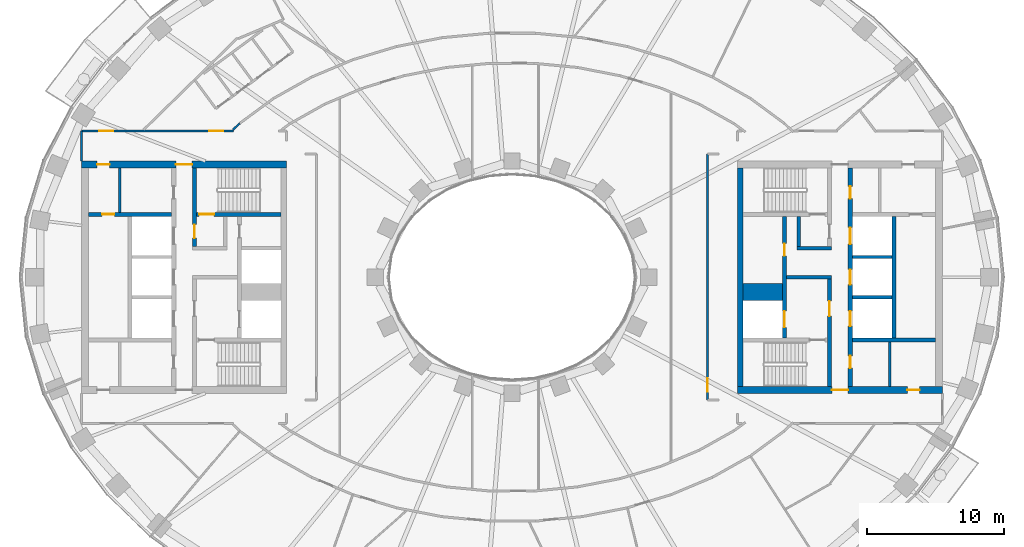
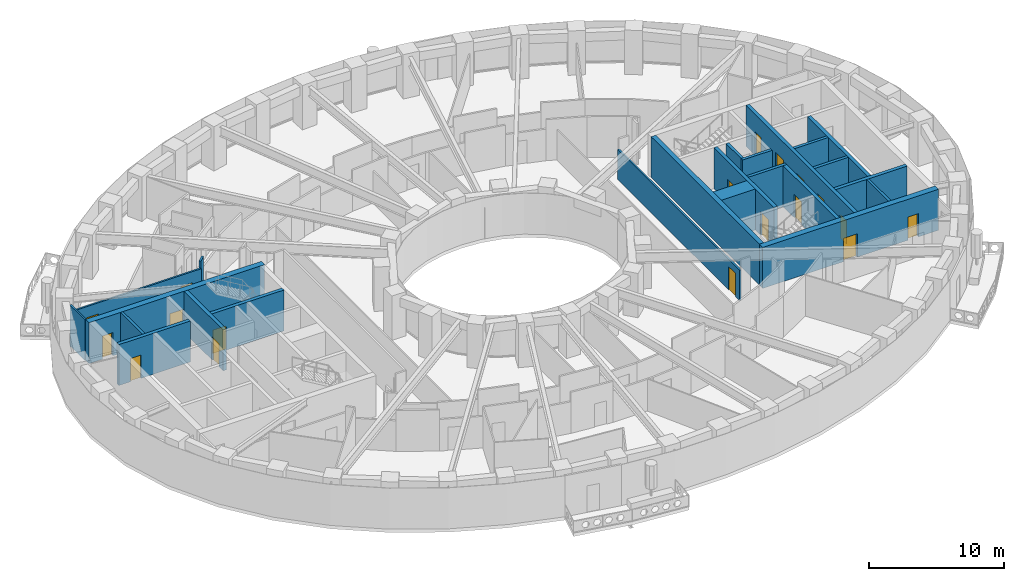
# One storey, part 5 of 17: 23 walls, 18 doors, 18 openings.
"""IFC4 building model written with IfcOpenShell, lengths in metres."""

import ifcopenshell
import ifcopenshell.guid

model = None  # the IFC model being written
_history = None  # IfcOwnerHistory: only IFC2X3 demands one
_inside = {}  # id of a spatial element -> (the spatial element, [elements in it])
_under = {}  # id of a project, library or spatial element -> (it, [spatial elements below it])
_declared = {}  # id of a project -> (the project, [libraries it declares])
_typed = {}  # id of a type object -> (the type object, [elements of that type])
_made_of = {}  # id of a material, layer set ... -> (it, [elements and type objects made of it])


def new_model(schema):
    """Start an empty IFC model of exactly this schema.

    Asked for "IFC4X3", IfcOpenShell would pick the latest addendum, in which some entities
    have other attributes; the version numbers below select the first issue.
    IFC2X3 requires an IfcOwnerHistory on every rooted entity: one is made here for all.
    """
    global model, _history
    if schema == "IFC4X3":
        model = ifcopenshell.file(schema_version=(4, 3, 0, 0))
    else:
        model = ifcopenshell.file(schema=schema)
    _inside.clear()
    _under.clear()
    _declared.clear()
    _typed.clear()
    _made_of.clear()
    _history = None
    if model.schema == "IFC2X3":
        org = make("IfcOrganization", Name="unknown")
        user = make(
            "IfcPersonAndOrganization",
            ThePerson=make("IfcPerson", FamilyName="unknown"),
            TheOrganization=org,
        )
        app = make(
            "IfcApplication",
            ApplicationDeveloper=org,
            Version="unknown",
            ApplicationFullName="unknown",
            ApplicationIdentifier="unknown",
        )
        _history = make(
            "IfcOwnerHistory",
            OwningUser=user,
            OwningApplication=app,
            ChangeAction="ADDED",
            CreationDate=0,
        )
    return model


def make(cls, **values):
    """One entity of the class cls with the attributes given. An attribute that is None is left unset."""
    return model.create_entity(
        cls, **{name: value for name, value in values.items() if value is not None}
    )


def rooted(cls, **values):
    """An entity with a GlobalId (a new one), such as an element, a storey or a relation."""
    return make(cls, GlobalId=ifcopenshell.guid.new(), OwnerHistory=_history, **values)


def si_unit(unit_type, name, prefix=None):
    """IfcSIUnit, for example si_unit("LENGTHUNIT", "METRE", prefix="MILLI")."""
    return make("IfcSIUnit", UnitType=unit_type, Prefix=prefix, Name=name)


def assignment(units):
    """IfcUnitAssignment: the units of a project."""
    return None if units is None else make("IfcUnitAssignment", Units=units)


def point(xyz):
    """IfcCartesianPoint."""
    return None if xyz is None else make("IfcCartesianPoint", Coordinates=xyz)


def direction(xyz):
    """IfcDirection."""
    return None if xyz is None else make("IfcDirection", DirectionRatios=xyz)


def frame(location, z_axis=None, x_axis=None):
    """IfcAxis2Placement3D, a coordinate frame: its origin and axes. An axis left out is left unset."""
    return make(
        "IfcAxis2Placement3D",
        Location=point(location),
        Axis=direction(z_axis),
        RefDirection=direction(x_axis),
    )


def frame_2d(location, x_axis=None):
    """IfcAxis2Placement2D, a coordinate frame in the plane: its origin and x axis."""
    return make(
        "IfcAxis2Placement2D", Location=point(location), RefDirection=direction(x_axis)
    )


def origin():
    """The frame at (0, 0, 0) with its axes left unset."""
    return frame((0.0, 0.0, 0.0))


def place(relative_to, where):
    """IfcLocalPlacement: puts the frame where relative to a parent placement (None: the world)."""
    return make(
        "IfcLocalPlacement", PlacementRelTo=relative_to, RelativePlacement=where
    )


def context(
    kind, dimensions, precision=None, world=None, true_north=None, identifier=None
):
    """IfcGeometricRepresentationContext, for example the 3D "Model" context."""
    return make(
        "IfcGeometricRepresentationContext",
        ContextIdentifier=identifier,
        ContextType=kind,
        CoordinateSpaceDimension=dimensions,
        Precision=precision,
        WorldCoordinateSystem=world,
        TrueNorth=true_north,
    )


def subcontext(parent, identifier, kind, view, scale=None):
    """IfcGeometricRepresentationSubContext, for example "Body" below "Model"."""
    return make(
        "IfcGeometricRepresentationSubContext",
        ContextIdentifier=identifier,
        ContextType=kind,
        ParentContext=parent,
        TargetScale=scale,
        TargetView=view,
    )


def project(units=None, contexts=None):
    """IfcProject with its units and contexts."""
    return rooted(
        "IfcProject",
        Name="project",
        RepresentationContexts=contexts,
        UnitsInContext=assignment(units),
    )


def spatial(cls, under=None, at=None, **own):
    """A site, building, storey or space (cls), placed at a placement, below another one or the project."""
    s = rooted(cls, ObjectPlacement=at, **own)
    if under is not None:
        _under.setdefault(under.id(), (under, []))[1].append(s)
    return s


def profile(cls, at=None, kind="AREA", **sizes):
    """A parametric profile (cls). Its sizes go by their IFC names, for example OverallWidth=200.0."""
    return make(cls, ProfileType=kind, Position=at, **sizes)


def rectangle(**sizes):
    """IfcRectangleProfileDef."""
    return profile("IfcRectangleProfileDef", **sizes)


def extrude(swept, where, along, depth):
    """IfcExtrudedAreaSolid: the profile swept, set in the frame where, extruded along a direction by depth."""
    return make(
        "IfcExtrudedAreaSolid",
        SweptArea=swept,
        Position=where,
        ExtrudedDirection=direction(along),
        Depth=depth,
    )


def shape(context_of_items, identifier, shape_type, items):
    """IfcShapeRepresentation: the items that make up one representation, for example the "Body"."""
    return make(
        "IfcShapeRepresentation",
        ContextOfItems=context_of_items,
        RepresentationIdentifier=identifier,
        RepresentationType=shape_type,
        Items=items,
    )


def material(Name=None, Category=None):
    """IfcMaterial."""
    return make("IfcMaterial", Name=Name, Category=Category)


def layer(
    of_material, thickness, ventilated=None, Name=None, Category=None, Priority=None
):
    """IfcMaterialLayer: one layer of a wall or slab, of a material (None: an air gap)."""
    return make(
        "IfcMaterialLayer",
        Material=of_material,
        LayerThickness=thickness,
        IsVentilated=ventilated,
        Name=Name,
        Category=Category,
        Priority=Priority,
    )


def layer_set(layers, Name=None):
    """IfcMaterialLayerSet."""
    return make("IfcMaterialLayerSet", MaterialLayers=layers, LayerSetName=Name)


def made_of(thing, what):
    """Note that an element or type object is made of a material, layer set ...; save() writes the relation."""
    if what is not None:
        _made_of.setdefault(what.id(), (what, []))[1].append(thing)
    return thing


def type_object(cls, material=None, **own):
    """A type object (cls), such as IfcWallType, which elements share."""
    return made_of(rooted(cls, **own), material)


def element(
    cls,
    number,
    at=None,
    inside=None,
    cuts=None,
    type_object=None,
    material=None,
    context=None,
    identifier="Body",
    shape_type=None,
    held_by="IfcProductDefinitionShape",
    body=None,
    shapes=None,
    **own,
):
    """One element of the class cls, such as IfcWall. Its Tag is "e" and its number.

    at: its placement. inside: the storey or other place that contains it. cuts: it is an
    opening in that element (IfcRelVoidsElement). A single representation is given by context,
    identifier, shape_type and body (its items); several are given by shapes. held_by: the class
    of the entity that holds the representations. save() writes the other relations.
    """
    e = rooted(cls, Tag="e%d" % number, ObjectPlacement=at, **own)
    if body is not None:
        shapes = [shape(context, identifier, shape_type, body)]
    if shapes is not None:
        e.Representation = make(held_by, Representations=shapes)
    if inside is not None:
        _inside.setdefault(inside.id(), (inside, []))[1].append(e)
    if cuts is not None:
        rooted(
            "IfcRelVoidsElement", RelatingBuildingElement=cuts, RelatedOpeningElement=e
        )
    if type_object is not None:
        _typed.setdefault(type_object.id(), (type_object, []))[1].append(e)
    return made_of(e, material)


def fill(opening, filler):
    """IfcRelFillsElement: the door or window that sits in an opening."""
    return rooted(
        "IfcRelFillsElement",
        RelatingOpeningElement=opening,
        RelatedBuildingElement=filler,
    )


def aggregate(whole, parts):
    """IfcRelAggregates: a whole, such as a stair, and the parts it consists of."""
    return rooted("IfcRelAggregates", RelatingObject=whole, RelatedObjects=parts)


def save(model, path):
    """Write the relations noted so far, then the file.

    IfcRelAggregates (storeys below a building ...), IfcRelContainedInSpatialStructure (elements
    in a storey), IfcRelDefinesByType, IfcRelAssociatesMaterial and IfcRelDeclares: one each for
    every whole, place, type object, material and project.
    """
    for whole, parts in _under.values():
        aggregate(whole, parts)
    for where, things in _inside.values():
        rooted(
            "IfcRelContainedInSpatialStructure",
            RelatedElements=things,
            RelatingStructure=where,
        )
    for kind, things in _typed.values():
        rooted("IfcRelDefinesByType", RelatedObjects=things, RelatingType=kind)
    for what, things in _made_of.values():
        rooted("IfcRelAssociatesMaterial", RelatedObjects=things, RelatingMaterial=what)
    for by, libraries in _declared.values():
        rooted("IfcRelDeclares", RelatingContext=by, RelatedDefinitions=libraries)
    model.write(path)


model = new_model("IFC4")

# Units and contexts
model_context = context("Model", 3, precision=1e-05, world=origin(), true_north=direction((0.0, 1.0)))
body_context = subcontext(model_context, "Body", "Model", "MODEL_VIEW")
ifc_project = project(units=[si_unit("LENGTHUNIT", "METRE"), si_unit("AREAUNIT", "SQUARE_METRE"), si_unit("VOLUMEUNIT", "CUBIC_METRE"), si_unit("PLANEANGLEUNIT", "RADIAN"), si_unit("MASSUNIT", "GRAM", prefix="KILO")], contexts=[model_context])

# Site, building, storey
site_placement = place(None, origin())
site = spatial("IfcSite", under=ifc_project, at=site_placement, CompositionType="ELEMENT")
building_placement = place(site_placement, origin())
building = spatial("IfcBuilding", under=site, at=building_placement, Name="Noorbagh Ring Tower", CompositionType="ELEMENT")
storey_placement = place(building_placement, frame((0.0, 0.0, 112.0)))
storey = spatial("IfcBuildingStorey", under=building, at=storey_placement, Name="L25", CompositionType="ELEMENT", Elevation=112.0)

# Walls
ifc_material_1 = material(Name="Gypsum board on steel studs", Category="steel")
ifc_layer_1 = layer(ifc_material_1, 0.199951171875)
ifc_layer_set_1 = layer_set([ifc_layer_1], Name="Gypsum board on steel studs")
wall_type_1 = type_object("IfcWallType", Name="CORE-PARTITION-200", PredefinedType="PARTITIONING", material=ifc_layer_set_1)
for number, where, z_axis, x_axis, name in (
    (1, (-28.699951171875, 4.75, 0.0), (0.0, 0.0, 1.0), (0.0, 1.0, 0.0), "Core partition W"),
    (2, (27.64990234375, -8.0, 0.0), (0.0, 0.0, 1.0), (0.0, 1.0, 0.0), "Core partition E"),
):
    element("IfcWall", number, at=place(storey_placement, frame(where, z_axis=z_axis, x_axis=x_axis)), inside=storey, type_object=wall_type_1, Name=name, PredefinedType="PARTITIONING", context=body_context, shape_type="SweptSolid", body=[
        extrude(rectangle(XDim=3.25, YDim=0.199951171875, at=frame_2d((1.625, 0.0))), origin(), (0.0, 0.0, 1.0), 3.699951171875),
    ])
ifc_material_2 = material(Name="Concrete C70/85", Category="concrete")
ifc_layer_2 = layer(ifc_material_2, 1.25)
ifc_layer_set_2 = layer_set([ifc_layer_2], Name="Concrete C70/85")
wall_type_2 = type_object("IfcWallType", Name="CORE-WALL-1250-C70-85-EI120", PredefinedType="SHEAR", material=ifc_layer_set_2)
wall_1_placement = place(storey_placement, frame((16.89990234375, -1.074951171875, 0.0), z_axis=(0.0, 0.0, 1.0), x_axis=(1.0, 0.0, 0.0)))
element("IfcWall", 3, at=wall_1_placement, inside=storey, type_object=wall_type_2, Name="Core wall E", PredefinedType="SHEAR", context=body_context, shape_type="SweptSolid", body=[
    extrude(rectangle(XDim=2.900146484375, YDim=1.25, at=frame_2d((1.4501953125, 0.0))), origin(), (0.0, 0.0, 1.0), 3.699951171875),
])
ifc_material_3 = material(Name="Concrete C70/85", Category="concrete")
ifc_layer_3 = layer(ifc_material_3, 0.25)
ifc_layer_set_3 = layer_set([ifc_layer_3], Name="Concrete C70/85")
wall_type_3 = type_object("IfcWallType", Name="CORE-WALL-250-C70-85-EI120", PredefinedType="SHEAR", material=ifc_layer_set_3)
for number, where, z_axis, x_axis, name in (
    (4, (24.89990234375, -1.47509765625, 0.0), (0.0, 0.0, 1.0), (1.0, 0.0, 0.0), "Core wall E"),
    (5, (24.89990234375, 1.47509765625, 0.0), (0.0, 0.0, 1.0), (1.0, 0.0, 0.0), "Core wall E"),
):
    element("IfcWall", number, at=place(storey_placement, frame(where, z_axis=z_axis, x_axis=x_axis)), inside=storey, type_object=wall_type_3, Name=name, PredefinedType="SHEAR", context=body_context, shape_type="SweptSolid", body=[
        extrude(rectangle(XDim=2.900146484375, YDim=0.25, at=frame_2d((1.4501953125, 0.0))), origin(), (0.0, 0.0, 1.0), 3.699951171875),
    ])
ifc_material_4 = material(Name="Concrete C70/85", Category="concrete")
ifc_layer_4 = layer(ifc_material_4, 0.25)
ifc_layer_set_4 = layer_set([ifc_layer_4], Name="Concrete C70/85")
wall_type_4 = type_object("IfcWallType", Name="CORE-WALL-250-C70-85-EI240", PredefinedType="SHEAR", material=ifc_layer_set_4)
wall_2_placement = place(storey_placement, frame((20.10009765625, 0.0, 0.0), z_axis=(0.0, 0.0, 1.0), x_axis=(1.0, 0.0, 0.0)))
element("IfcWall", 6, at=wall_2_placement, inside=storey, type_object=wall_type_4, Name="Core wall E", PredefinedType="SHEAR", context=body_context, shape_type="SweptSolid", body=[
    extrude(rectangle(XDim=3.27978515625, YDim=0.25, at=frame_2d((1.639892578125, 0.0))), origin(), (0.0, 0.0, 1.0), 3.699951171875),
])
wall_3_placement = place(storey_placement, frame((20.85009765625, 2.125, 0.0), z_axis=(0.0, 0.0, 1.0), x_axis=(1.0, 0.0, 0.0)))
element("IfcWall", 7, at=wall_3_placement, inside=storey, type_object=wall_type_4, Name="Core wall E", PredefinedType="SHEAR", context=body_context, shape_type="SweptSolid", body=[
    extrude(rectangle(XDim=2.52978515625, YDim=0.25, at=frame_2d((1.264892578125, 0.0))), origin(), (0.0, 0.0, 1.0), 3.699951171875),
])
wall_4_placement = place(storey_placement, frame((20.97509765625, 2.25, 0.0), z_axis=(0.0, 0.0, 1.0), x_axis=(0.0, 1.0, 0.0)))
element("IfcWall", 8, at=wall_4_placement, inside=storey, type_object=wall_type_4, Name="Core wall E", PredefinedType="SHEAR", context=body_context, shape_type="SweptSolid", body=[
    extrude(rectangle(XDim=2.199951171875, YDim=0.25, at=frame_2d((1.10009765625, 0.0))), origin(), (0.0, 0.0, 1.0), 3.699951171875),
])
ifc_material_5 = material(Name="Concrete C70/85", Category="concrete")
ifc_layer_5 = layer(ifc_material_5, 0.300048828125)
ifc_layer_set_5 = layer_set([ifc_layer_5], Name="Concrete C70/85")
wall_type_5 = type_object("IfcWallType", Name="CORE-WALL-300-C70-85-EI120", PredefinedType="SHEAR", material=ifc_layer_set_5)
wall_5_placement = place(storey_placement, frame((27.949951171875, -4.449951171875, 0.0), z_axis=(0.0, 0.0, 1.0), x_axis=(0.0, 1.0, 0.0)))
element("IfcWall", 9, at=wall_5_placement, inside=storey, type_object=wall_type_5, Name="Core wall E", PredefinedType="SHEAR", context=body_context, shape_type="SweptSolid", body=[
    extrude(rectangle(XDim=8.89990234375, YDim=0.300048828125, at=frame_2d((4.449951171875, 0.0))), origin(), (0.0, 0.0, 1.0), 3.699951171875),
])

# Wall, openings, doors
wall_6_placement = place(storey_placement, frame((19.949951171875, -4.449951171875, 0.0), z_axis=(0.0, 0.0, 1.0), x_axis=(0.0, 1.0, 0.0)))
wall_6 = element("IfcWall", 10, at=wall_6_placement, inside=storey, type_object=wall_type_5, Name="Core wall E", PredefinedType="SHEAR", context=body_context, shape_type="SweptSolid", body=[
    extrude(rectangle(XDim=8.89990234375, YDim=0.300048828125, at=frame_2d((4.449951171875, 0.0))), origin(), (0.0, 0.0, 1.0), 3.699951171875),
])
opening_1_placement = place(wall_6_placement, frame((0.77490234375, 0.0, 0.0)))
opening_1 = element("IfcOpeningElement", 11, at=opening_1_placement, cuts=wall_6, Name="Opening L25-CE01", PredefinedType="OPENING", context=body_context, shape_type="SweptSolid", body=[
    extrude(rectangle(XDim=1.199951171875, YDim=2.10009765625, at=frame_2d((0.60009765625, 1.050048828125))), frame((0.0, 0.16015625, 0.0), z_axis=(0.0, -1.0, 0.0), x_axis=(1.0, 0.0, 0.0)), (0.0, 0.0, 1.0), 0.320068359375),
])
opening_2_placement = place(wall_6_placement, frame((6.0, 0.0, 0.0)))
opening_2 = element("IfcOpeningElement", 12, at=opening_2_placement, cuts=wall_6, Name="Opening L25-CE11", PredefinedType="OPENING", context=body_context, shape_type="SweptSolid", body=[
    extrude(rectangle(XDim=0.89990234375, YDim=2.10009765625, at=frame_2d((0.449951171875, 1.050048828125))), frame((0.0, 0.16015625, 0.0), z_axis=(0.0, -1.0, 0.0), x_axis=(1.0, 0.0, 0.0)), (0.0, 0.0, 1.0), 0.320068359375),
])
ifc_material_6 = material(Name="Steel door leaf", Category="steel")
door_type_1 = type_object("IfcDoorType", Name="CORE-DOOR-DROOM", OperationType="SINGLE_SWING_LEFT", PredefinedType="DOOR", material=ifc_material_6)
door_1_placement = place(opening_2_placement, origin())
door_1 = element("IfcDoor", 13, at=door_1_placement, inside=storey, type_object=door_type_1, Name="Core room door L25-CE11", OperationType="SINGLE_SWING_RIGHT", OverallHeight=2.10009765625, OverallWidth=0.89990234375, PredefinedType="DOOR", context=body_context, shape_type="SweptSolid", body=[
    extrude(rectangle(XDim=0.89990234375, YDim=2.10009765625, at=frame_2d((0.449951171875, 1.050048828125))), frame((0.0, 0.02490234375, 0.0), z_axis=(0.0, -1.0, 0.0), x_axis=(1.0, 0.0, 0.0)), (0.0, 0.0, 1.0), 0.050048828125),
])
fill(opening_2, door_1)
ifc_material_7 = material(Name="Steel door leaf", Category="steel")
door_type_2 = type_object("IfcDoorType", Name="CORE-DOOR-LDW", OperationType="DOUBLE_DOOR_SLIDING", PredefinedType="DOOR", material=ifc_material_7)
door_2_placement = place(opening_1_placement, origin())
door_2 = element("IfcDoor", 14, at=door_2_placement, inside=storey, type_object=door_type_2, Name="Landing door FF2 L25-CE01", OperationType="DOUBLE_DOOR_SLIDING", OverallHeight=2.10009765625, OverallWidth=1.199951171875, PredefinedType="DOOR", context=body_context, shape_type="SweptSolid", body=[
    extrude(rectangle(XDim=1.199951171875, YDim=2.10009765625, at=frame_2d((0.60009765625, 1.050048828125))), frame((0.0, 0.02490234375, 0.0), z_axis=(0.0, -1.0, 0.0), x_axis=(1.0, 0.0, 0.0)), (0.0, 0.0, 1.0), 0.050048828125),
])
fill(opening_1, door_2)

wall_7_placement = place(storey_placement, frame((24.75, -8.0, 0.0), z_axis=(0.0, 0.0, 1.0), x_axis=(0.0, 1.0, 0.0)))
wall_7 = element("IfcWall", 15, at=wall_7_placement, inside=storey, type_object=wall_type_5, Name="Core wall E", PredefinedType="SHEAR", context=body_context, shape_type="SweptSolid", body=[
    extrude(rectangle(XDim=16.0, YDim=0.300048828125, at=frame_2d((8.0, 0.0))), origin(), (0.0, 0.0, 1.0), 3.699951171875),
])
opening_3_placement = place(wall_7_placement, frame((4.425048828125, 0.0, 0.0)))
opening_3 = element("IfcOpeningElement", 16, at=opening_3_placement, cuts=wall_7, Name="Opening L25-CE02", PredefinedType="OPENING", context=body_context, shape_type="SweptSolid", body=[
    extrude(rectangle(XDim=1.10009765625, YDim=2.10009765625, at=frame_2d((0.550048828125, 1.050048828125))), frame((0.0, 0.16015625, 0.0), z_axis=(0.0, -1.0, 0.0), x_axis=(1.0, 0.0, 0.0)), (0.0, 0.0, 1.0), 0.320068359375),
])
opening_4_placement = place(wall_7_placement, frame((7.449951171875, 0.0, 0.0)))
opening_4 = element("IfcOpeningElement", 17, at=opening_4_placement, cuts=wall_7, Name="Opening L25-CE03", PredefinedType="OPENING", context=body_context, shape_type="SweptSolid", body=[
    extrude(rectangle(XDim=1.10009765625, YDim=2.10009765625, at=frame_2d((0.550048828125, 1.050048828125))), frame((0.0, 0.16015625, 0.0), z_axis=(0.0, -1.0, 0.0), x_axis=(1.0, 0.0, 0.0)), (0.0, 0.0, 1.0), 0.320068359375),
])
opening_5_placement = place(wall_7_placement, frame((10.425048828125, 0.0, 0.0)))
opening_5 = element("IfcOpeningElement", 18, at=opening_5_placement, cuts=wall_7, Name="Opening L25-CE04", PredefinedType="OPENING", context=body_context, shape_type="SweptSolid", body=[
    extrude(rectangle(XDim=1.199951171875, YDim=2.10009765625, at=frame_2d((0.60009765625, 1.050048828125))), frame((0.0, 0.16015625, 0.0), z_axis=(0.0, -1.0, 0.0), x_axis=(1.0, 0.0, 0.0)), (0.0, 0.0, 1.0), 0.320068359375),
])
opening_6_placement = place(wall_7_placement, frame((13.75, 0.0, 0.0)))
opening_6 = element("IfcOpeningElement", 19, at=opening_6_placement, cuts=wall_7, Name="Opening L25-CE12", PredefinedType="OPENING", context=body_context, shape_type="SweptSolid", body=[
    extrude(rectangle(XDim=0.89990234375, YDim=2.10009765625, at=frame_2d((0.449951171875, 1.050048828125))), frame((0.0, 0.16015625, 0.0), z_axis=(0.0, -1.0, 0.0), x_axis=(1.0, 0.0, 0.0)), (0.0, 0.0, 1.0), 0.320068359375),
])
opening_7_placement = place(wall_7_placement, frame((1.35009765625, 0.0, 0.0)))
opening_7 = element("IfcOpeningElement", 20, at=opening_7_placement, cuts=wall_7, Name="Opening L25-CE14", PredefinedType="OPENING", context=body_context, shape_type="SweptSolid", body=[
    extrude(rectangle(XDim=0.89990234375, YDim=2.10009765625, at=frame_2d((0.449951171875, 1.050048828125))), frame((0.0, 0.16015625, 0.0), z_axis=(0.0, -1.0, 0.0), x_axis=(1.0, 0.0, 0.0)), (0.0, 0.0, 1.0), 0.320068359375),
])
door_3_placement = place(opening_6_placement, origin())
door_3 = element("IfcDoor", 21, at=door_3_placement, inside=storey, type_object=door_type_1, Name="Core room door L25-CE12", OperationType="SINGLE_SWING_LEFT", OverallHeight=2.10009765625, OverallWidth=0.89990234375, PredefinedType="DOOR", context=body_context, shape_type="SweptSolid", body=[
    extrude(rectangle(XDim=0.89990234375, YDim=2.10009765625, at=frame_2d((0.449951171875, 1.050048828125))), frame((0.0, 0.02490234375, 0.0), z_axis=(0.0, -1.0, 0.0), x_axis=(1.0, 0.0, 0.0)), (0.0, 0.0, 1.0), 0.050048828125),
])
fill(opening_6, door_3)
door_4_placement = place(opening_7_placement, origin())
door_4 = element("IfcDoor", 22, at=door_4_placement, inside=storey, type_object=door_type_1, Name="Core room door L25-CE14", OperationType="SINGLE_SWING_RIGHT", OverallHeight=2.10009765625, OverallWidth=0.89990234375, PredefinedType="DOOR", context=body_context, shape_type="SweptSolid", body=[
    extrude(rectangle(XDim=0.89990234375, YDim=2.10009765625, at=frame_2d((0.449951171875, 1.050048828125))), frame((0.0, 0.02490234375, 0.0), z_axis=(0.0, -1.0, 0.0), x_axis=(1.0, 0.0, 0.0)), (0.0, 0.0, 1.0), 0.050048828125),
])
fill(opening_7, door_4)
ifc_material_8 = material(Name="Steel door leaf", Category="steel")
door_type_3 = type_object("IfcDoorType", Name="CORE-DOOR-LD", OperationType="DOUBLE_DOOR_SLIDING", PredefinedType="DOOR", material=ifc_material_8)
door_5_placement = place(opening_3_placement, origin())
door_5 = element("IfcDoor", 23, at=door_5_placement, inside=storey, type_object=door_type_3, Name="Landing door LR3 L25-CE02", OperationType="DOUBLE_DOOR_SLIDING", OverallHeight=2.10009765625, OverallWidth=1.10009765625, PredefinedType="DOOR", context=body_context, shape_type="SweptSolid", body=[
    extrude(rectangle(XDim=1.10009765625, YDim=2.10009765625, at=frame_2d((0.550048828125, 1.050048828125))), frame((0.0, 0.02490234375, 0.0), z_axis=(0.0, -1.0, 0.0), x_axis=(1.0, 0.0, 0.0)), (0.0, 0.0, 1.0), 0.050048828125),
])
fill(opening_3, door_5)
door_6_placement = place(opening_4_placement, origin())
door_6 = element("IfcDoor", 24, at=door_6_placement, inside=storey, type_object=door_type_3, Name="Landing door LR4 L25-CE03", OperationType="DOUBLE_DOOR_SLIDING", OverallHeight=2.10009765625, OverallWidth=1.10009765625, PredefinedType="DOOR", context=body_context, shape_type="SweptSolid", body=[
    extrude(rectangle(XDim=1.10009765625, YDim=2.10009765625, at=frame_2d((0.550048828125, 1.050048828125))), frame((0.0, 0.02490234375, 0.0), z_axis=(0.0, -1.0, 0.0), x_axis=(1.0, 0.0, 0.0)), (0.0, 0.0, 1.0), 0.050048828125),
])
fill(opening_4, door_6)
door_7_placement = place(opening_5_placement, origin())
door_7 = element("IfcDoor", 25, at=door_7_placement, inside=storey, type_object=door_type_2, Name="Landing door SV2 L25-CE04", OperationType="DOUBLE_DOOR_SLIDING", OverallHeight=2.10009765625, OverallWidth=1.199951171875, PredefinedType="DOOR", context=body_context, shape_type="SweptSolid", body=[
    extrude(rectangle(XDim=1.199951171875, YDim=2.10009765625, at=frame_2d((0.60009765625, 1.050048828125))), frame((0.0, 0.02490234375, 0.0), z_axis=(0.0, -1.0, 0.0), x_axis=(1.0, 0.0, 0.0)), (0.0, 0.0, 1.0), 0.050048828125),
])
fill(opening_5, door_7)

# Wall, opening, door
ifc_material_9 = material(Name="Concrete C70/85", Category="concrete")
ifc_layer_6 = layer(ifc_material_9, 0.300048828125)
ifc_layer_set_6 = layer_set([ifc_layer_6], Name="Concrete C70/85")
wall_type_6 = type_object("IfcWallType", Name="CORE-WALL-300-C70-85-EI240", PredefinedType="SHEAR", material=ifc_layer_set_6)
wall_8_placement = place(storey_placement, frame((-24.89990234375, 4.60009765625, 0.0), z_axis=(0.0, 0.0, 1.0), x_axis=(-1.0, 0.0, 0.0)))
wall_8 = element("IfcWall", 26, at=wall_8_placement, inside=storey, type_object=wall_type_6, Name="Core wall W", PredefinedType="SHEAR", context=body_context, shape_type="SweptSolid", body=[
    extrude(rectangle(XDim=6.10009765625, YDim=0.300048828125, at=frame_2d((3.050048828125, 0.0))), origin(), (0.0, 0.0, 1.0), 3.699951171875),
])
opening_8_placement = place(wall_8_placement, frame((4.199951171875, 0.0, 0.0)))
opening_8 = element("IfcOpeningElement", 27, at=opening_8_placement, cuts=wall_8, Name="Opening L25-CW16", PredefinedType="OPENING", context=body_context, shape_type="SweptSolid", body=[
    extrude(rectangle(XDim=0.89990234375, YDim=2.10009765625, at=frame_2d((0.449951171875, 1.050048828125))), frame((0.0, 0.16015625, 0.0), z_axis=(0.0, -1.0, 0.0), x_axis=(1.0, 0.0, 0.0)), (0.0, 0.0, 1.0), 0.320068359375),
])
door_8_placement = place(opening_8_placement, origin())
door_8 = element("IfcDoor", 28, at=door_8_placement, inside=storey, type_object=door_type_1, Name="Core room door L25-CW16", OperationType="SINGLE_SWING_LEFT", OverallHeight=2.10009765625, OverallWidth=0.89990234375, PredefinedType="DOOR", context=body_context, shape_type="SweptSolid", body=[
    extrude(rectangle(XDim=0.89990234375, YDim=2.10009765625, at=frame_2d((0.449951171875, 1.050048828125))), frame((0.0, 0.02490234375, 0.0), z_axis=(0.0, -1.0, 0.0), x_axis=(1.0, 0.0, 0.0)), (0.0, 0.0, 1.0), 0.050048828125),
])
fill(opening_8, door_8)

wall_9_placement = place(storey_placement, frame((-23.22998046875, 2.25, 0.0), z_axis=(0.0, 0.0, 1.0), x_axis=(0.0, 1.0, 0.0)))
wall_9 = element("IfcWall", 29, at=wall_9_placement, inside=storey, type_object=wall_type_6, Name="Core wall W", PredefinedType="SHEAR", context=body_context, shape_type="SweptSolid", body=[
    extrude(rectangle(XDim=5.75, YDim=0.300048828125, at=frame_2d((2.875, 0.0))), origin(), (0.0, 0.0, 1.0), 3.699951171875),
])
opening_9_placement = place(wall_9_placement, frame((0.60009765625, 0.0, 0.0)))
opening_9 = element("IfcOpeningElement", 30, at=opening_9_placement, cuts=wall_9, Name="Opening L25-CW08", PredefinedType="OPENING", context=body_context, shape_type="SweptSolid", body=[
    extrude(rectangle(XDim=1.0, YDim=2.10009765625, at=frame_2d((0.5, 1.050048828125))), frame((0.0, 0.16015625, 0.0), z_axis=(0.0, -1.0, 0.0), x_axis=(1.0, 0.0, 0.0)), (0.0, 0.0, 1.0), 0.320068359375),
])
ifc_material_10 = material(Name="Steel door leaf", Category="steel")
door_type_4 = type_object("IfcDoorType", Name="CORE-DOOR-DVEST", OperationType="SINGLE_SWING_LEFT", PredefinedType="DOOR", material=ifc_material_10)
door_9_placement = place(opening_9_placement, origin())
door_9 = element("IfcDoor", 31, at=door_9_placement, inside=storey, type_object=door_type_4, Name="Stair vestibule door L25-CW08", OperationType="SINGLE_SWING_LEFT", OverallHeight=2.10009765625, OverallWidth=1.0, PredefinedType="DOOR", context=body_context, shape_type="SweptSolid", body=[
    extrude(rectangle(XDim=1.0, YDim=2.10009765625, at=frame_2d((0.5, 1.050048828125))), frame((0.0, 0.02490234375, 0.0), z_axis=(0.0, -1.0, 0.0), x_axis=(1.0, 0.0, 0.0)), (0.0, 0.0, 1.0), 0.050048828125),
])
fill(opening_9, door_9)

wall_10_placement = place(storey_placement, frame((-16.89990234375, 4.60009765625, 0.0), z_axis=(0.0, 0.0, 1.0), x_axis=(-1.0, 0.0, 0.0)))
wall_10 = element("IfcWall", 32, at=wall_10_placement, inside=storey, type_object=wall_type_6, Name="Core wall W", PredefinedType="SHEAR", context=body_context, shape_type="SweptSolid", body=[
    extrude(rectangle(XDim=6.18017578125, YDim=0.300048828125, at=frame_2d((3.090087890625, 0.0))), origin(), (0.0, 0.0, 1.0), 3.699951171875),
])
opening_10_placement = place(wall_10_placement, frame((4.89990234375, 0.0, 0.0)))
opening_10 = element("IfcOpeningElement", 33, at=opening_10_placement, cuts=wall_10, Name="Opening L25-CW05", PredefinedType="OPENING", context=body_context, shape_type="SweptSolid", body=[
    extrude(rectangle(XDim=1.10009765625, YDim=2.10009765625, at=frame_2d((0.550048828125, 1.050048828125))), frame((0.0, 0.16015625, 0.0), z_axis=(0.0, -1.0, 0.0), x_axis=(1.0, 0.0, 0.0)), (0.0, 0.0, 1.0), 0.320068359375),
])
ifc_material_11 = material(Name="Steel door leaf", Category="steel")
door_type_5 = type_object("IfcDoorType", Name="CORE-DOOR-DSTAIR", OperationType="SINGLE_SWING_LEFT", PredefinedType="DOOR", material=ifc_material_11)
door_10_placement = place(opening_10_placement, origin())
door_10 = element("IfcDoor", 34, at=door_10_placement, inside=storey, type_object=door_type_5, Name="Stair door ST1 L25-CW05", OperationType="SINGLE_SWING_RIGHT", OverallHeight=2.10009765625, OverallWidth=1.10009765625, PredefinedType="DOOR", context=body_context, shape_type="SweptSolid", body=[
    extrude(rectangle(XDim=1.10009765625, YDim=2.10009765625, at=frame_2d((0.550048828125, 1.050048828125))), frame((0.0, 0.02490234375, 0.0), z_axis=(0.0, -1.0, 0.0), x_axis=(1.0, 0.0, 0.0)), (0.0, 0.0, 1.0), 0.050048828125),
])
fill(opening_10, door_10)

# Wall
wall_11_placement = place(storey_placement, frame((24.89990234375, -4.60009765625, 0.0), z_axis=(0.0, 0.0, 1.0), x_axis=(1.0, 0.0, 0.0)))
element("IfcWall", 35, at=wall_11_placement, inside=storey, type_object=wall_type_6, Name="Core wall E", PredefinedType="SHEAR", context=body_context, shape_type="SweptSolid", body=[
    extrude(rectangle(XDim=6.10009765625, YDim=0.300048828125, at=frame_2d((3.050048828125, 0.0))), origin(), (0.0, 0.0, 1.0), 3.699951171875),
])

# Wall, opening, door
wall_12_placement = place(storey_placement, frame((23.22998046875, -8.0, 0.0), z_axis=(0.0, 0.0, 1.0), x_axis=(0.0, 1.0, 0.0)))
wall_12 = element("IfcWall", 36, at=wall_12_placement, inside=storey, type_object=wall_type_6, Name="Core wall E", PredefinedType="SHEAR", context=body_context, shape_type="SweptSolid", body=[
    extrude(rectangle(XDim=7.875, YDim=0.300048828125, at=frame_2d((3.9375, 0.0))), origin(), (0.0, 0.0, 1.0), 3.699951171875),
])
opening_11_placement = place(wall_12_placement, frame((5.14990234375, 0.0, 0.0)))
opening_11 = element("IfcOpeningElement", 37, at=opening_11_placement, cuts=wall_12, Name="Opening L25-CE07", PredefinedType="OPENING", context=body_context, shape_type="SweptSolid", body=[
    extrude(rectangle(XDim=1.10009765625, YDim=2.10009765625, at=frame_2d((0.550048828125, 1.050048828125))), frame((0.0, 0.16015625, 0.0), z_axis=(0.0, -1.0, 0.0), x_axis=(1.0, 0.0, 0.0)), (0.0, 0.0, 1.0), 0.320068359375),
])
ifc_material_12 = material(Name="Steel door leaf", Category="steel")
door_type_6 = type_object("IfcDoorType", Name="CORE-DOOR-DFF", OperationType="SINGLE_SWING_LEFT", PredefinedType="DOOR", material=ifc_material_12)
door_11_placement = place(opening_11_placement, origin())
door_11 = element("IfcDoor", 38, at=door_11_placement, inside=storey, type_object=door_type_6, Name="Firefighting lobby door L25-CE07", OperationType="SINGLE_SWING_RIGHT", OverallHeight=2.10009765625, OverallWidth=1.10009765625, PredefinedType="DOOR", context=body_context, shape_type="SweptSolid", body=[
    extrude(rectangle(XDim=1.10009765625, YDim=2.10009765625, at=frame_2d((0.550048828125, 1.050048828125))), frame((0.0, 0.02490234375, 0.0), z_axis=(0.0, -1.0, 0.0), x_axis=(1.0, 0.0, 0.0)), (0.0, 0.0, 1.0), 0.050048828125),
])
fill(opening_11, door_11)

# Wall
ifc_material_13 = material(Name="Concrete C70/85", Category="concrete")
ifc_layer_7 = layer(ifc_material_13, 0.39990234375)
ifc_layer_set_7 = layer_set([ifc_layer_7], Name="Concrete C70/85")
wall_type_7 = type_object("IfcWallType", Name="CORE-WALL-400-C70-85-EI240", PredefinedType="SHEAR", material=ifc_layer_set_7)
wall_13_placement = place(storey_placement, frame((16.699951171875, -8.0, 0.0), z_axis=(0.0, 0.0, 1.0), x_axis=(0.0, 1.0, 0.0)))
element("IfcWall", 39, at=wall_13_placement, inside=storey, type_object=wall_type_7, Name="Core wall E", PredefinedType="SHEAR", context=body_context, shape_type="SweptSolid", body=[
    extrude(rectangle(XDim=16.0, YDim=0.39990234375, at=frame_2d((8.0, 0.0))), origin(), (0.0, 0.0, 1.0), 3.699951171875),
])

# Wall, openings, doors
ifc_material_14 = material(Name="Concrete C70/85", Category="concrete")
ifc_layer_8 = layer(ifc_material_14, 0.5)
ifc_layer_set_8 = layer_set([ifc_layer_8], Name="Concrete C70/85")
wall_type_8 = type_object("IfcWallType", Name="CORE-WALL-500-C70-85-EI240", PredefinedType="SHEAR", material=ifc_layer_set_8)
wall_14_placement = place(storey_placement, frame((-16.5, 8.25, 0.0), z_axis=(0.0, 0.0, 1.0), x_axis=(-1.0, 0.0, 0.0)))
wall_14 = element("IfcWall", 40, at=wall_14_placement, inside=storey, type_object=wall_type_8, Name="Core wall W", PredefinedType="SHEAR", context=body_context, shape_type="SweptSolid", body=[
    extrude(rectangle(XDim=15.0, YDim=0.5, at=frame_2d((7.5, 0.0))), origin(), (0.0, 0.0, 1.0), 3.699951171875),
])
opening_12_placement = place(wall_14_placement, frame((6.89990234375, 0.0, 0.0)))
opening_12 = element("IfcOpeningElement", 41, at=opening_12_placement, cuts=wall_14, Name="Opening L25-CW09", PredefinedType="OPENING", context=body_context, shape_type="SweptSolid", body=[
    extrude(rectangle(XDim=1.199951171875, YDim=2.10009765625, at=frame_2d((0.60009765625, 1.050048828125))), frame((0.0, 0.260009765625, 0.0), z_axis=(0.0, -1.0, 0.0), x_axis=(1.0, 0.0, 0.0)), (0.0, 0.0, 1.0), 0.52001953125),
])
opening_13_placement = place(wall_14_placement, frame((12.949951171875, 0.0, 0.0)))
opening_13 = element("IfcOpeningElement", 42, at=opening_13_placement, cuts=wall_14, Name="Opening L25-CW13", PredefinedType="OPENING", context=body_context, shape_type="SweptSolid", body=[
    extrude(rectangle(XDim=0.89990234375, YDim=2.10009765625, at=frame_2d((0.449951171875, 1.050048828125))), frame((0.0, 0.260009765625, 0.0), z_axis=(0.0, -1.0, 0.0), x_axis=(1.0, 0.0, 0.0)), (0.0, 0.0, 1.0), 0.52001953125),
])
door_12_placement = place(opening_13_placement, origin())
door_12 = element("IfcDoor", 43, at=door_12_placement, inside=storey, type_object=door_type_1, Name="Core room door L25-CW13", OperationType="SINGLE_SWING_RIGHT", OverallHeight=2.10009765625, OverallWidth=0.89990234375, PredefinedType="DOOR", context=body_context, shape_type="SweptSolid", body=[
    extrude(rectangle(XDim=0.89990234375, YDim=2.10009765625, at=frame_2d((0.449951171875, 1.050048828125))), frame((0.0, 0.02490234375, 0.0), z_axis=(0.0, -1.0, 0.0), x_axis=(1.0, 0.0, 0.0)), (0.0, 0.0, 1.0), 0.050048828125),
])
fill(opening_13, door_12)
ifc_material_15 = material(Name="Steel door leaf", Category="steel")
door_type_7 = type_object("IfcDoorType", Name="CORE-DOOR-PORT", OperationType="DOUBLE_DOOR_DOUBLE_SWING", PredefinedType="DOOR", material=ifc_material_15)
door_13_placement = place(opening_12_placement, origin())
door_13 = element("IfcDoor", 44, at=door_13_placement, inside=storey, type_object=door_type_7, Name="Core entrance door L25-CW09", OperationType="DOUBLE_DOOR_DOUBLE_SWING", OverallHeight=2.10009765625, OverallWidth=1.199951171875, PredefinedType="DOOR", context=body_context, shape_type="SweptSolid", body=[
    extrude(rectangle(XDim=1.199951171875, YDim=2.10009765625, at=frame_2d((0.60009765625, 1.050048828125))), frame((0.0, 0.02490234375, 0.0), z_axis=(0.0, -1.0, 0.0), x_axis=(1.0, 0.0, 0.0)), (0.0, 0.0, 1.0), 0.050048828125),
])
fill(opening_12, door_13)

wall_15_placement = place(storey_placement, frame((16.5, -8.25, 0.0), z_axis=(0.0, 0.0, 1.0), x_axis=(1.0, 0.0, 0.0)))
wall_15 = element("IfcWall", 45, at=wall_15_placement, inside=storey, type_object=wall_type_8, Name="Core wall E", PredefinedType="SHEAR", context=body_context, shape_type="SweptSolid", body=[
    extrude(rectangle(XDim=15.0, YDim=0.5, at=frame_2d((7.5, 0.0))), origin(), (0.0, 0.0, 1.0), 3.699951171875),
])
opening_14_placement = place(wall_15_placement, frame((6.89990234375, 0.0, 0.0)))
opening_14 = element("IfcOpeningElement", 46, at=opening_14_placement, cuts=wall_15, Name="Opening L25-CE10", PredefinedType="OPENING", context=body_context, shape_type="SweptSolid", body=[
    extrude(rectangle(XDim=1.199951171875, YDim=2.10009765625, at=frame_2d((0.60009765625, 1.050048828125))), frame((0.0, 0.260009765625, 0.0), z_axis=(0.0, -1.0, 0.0), x_axis=(1.0, 0.0, 0.0)), (0.0, 0.0, 1.0), 0.52001953125),
])
opening_15_placement = place(wall_15_placement, frame((12.425048828125, 0.0, 0.0)))
opening_15 = element("IfcOpeningElement", 47, at=opening_15_placement, cuts=wall_15, Name="Opening L25-CE15", PredefinedType="OPENING", context=body_context, shape_type="SweptSolid", body=[
    extrude(rectangle(XDim=0.89990234375, YDim=2.10009765625, at=frame_2d((0.449951171875, 1.050048828125))), frame((0.0, 0.260009765625, 0.0), z_axis=(0.0, -1.0, 0.0), x_axis=(1.0, 0.0, 0.0)), (0.0, 0.0, 1.0), 0.52001953125),
])
door_14_placement = place(opening_15_placement, origin())
door_14 = element("IfcDoor", 48, at=door_14_placement, inside=storey, type_object=door_type_1, Name="Core room door L25-CE15", OperationType="SINGLE_SWING_RIGHT", OverallHeight=2.10009765625, OverallWidth=0.89990234375, PredefinedType="DOOR", context=body_context, shape_type="SweptSolid", body=[
    extrude(rectangle(XDim=0.89990234375, YDim=2.10009765625, at=frame_2d((0.449951171875, 1.050048828125))), frame((0.0, 0.02490234375, 0.0), z_axis=(0.0, -1.0, 0.0), x_axis=(1.0, 0.0, 0.0)), (0.0, 0.0, 1.0), 0.050048828125),
])
fill(opening_15, door_14)
door_15_placement = place(opening_14_placement, origin())
door_15 = element("IfcDoor", 49, at=door_15_placement, inside=storey, type_object=door_type_7, Name="Core entrance door L25-CE10", OperationType="DOUBLE_DOOR_DOUBLE_SWING", OverallHeight=2.10009765625, OverallWidth=1.199951171875, PredefinedType="DOOR", context=body_context, shape_type="SweptSolid", body=[
    extrude(rectangle(XDim=1.199951171875, YDim=2.10009765625, at=frame_2d((0.60009765625, 1.050048828125))), frame((0.0, 0.02490234375, 0.0), z_axis=(0.0, -1.0, 0.0), x_axis=(1.0, 0.0, 0.0)), (0.0, 0.0, 1.0), 0.050048828125),
])
fill(opening_14, door_15)

# Wall
ifc_material_16 = material(Name="Gypsum board on steel studs", Category="steel")
ifc_layer_9 = layer(ifc_material_16, 0.14990234375)
ifc_layer_set_9 = layer_set([ifc_layer_9], Name="Gypsum board on steel studs")
wall_type_9 = type_object("IfcWallType", Name="CORRIDOR PARTITION 150 EI 30", PredefinedType="PARTITIONING", material=ifc_layer_set_9)
wall_16_placement = place(storey_placement, frame((-31.5, 8.5, 0.0), z_axis=(0.0, 0.0, 1.0), x_axis=(0.0, 1.0, 0.0)))
element("IfcWall", 50, at=wall_16_placement, inside=storey, type_object=wall_type_9, Name="L25/wall/P04", PredefinedType="PARTITIONING", context=body_context, shape_type="SweptSolid", body=[
    extrude(rectangle(XDim=2.199951171875, YDim=0.14990234375, at=frame_2d((1.10009765625, 0.0))), origin(), (0.0, 0.0, 1.0), 3.699951171875),
])

# Wall, openings, doors
wall_17_placement = place(storey_placement, frame((-31.5, 10.699951171875, 0.0), z_axis=(0.0, 0.0, 1.0), x_axis=(1.0, 0.0, 0.0)))
wall_17 = element("IfcWall", 51, at=wall_17_placement, inside=storey, type_object=wall_type_9, Name="L25/wall/P05", PredefinedType="PARTITIONING", context=body_context, shape_type="SweptSolid", body=[
    extrude(rectangle(XDim=11.113037109375, YDim=0.14990234375, at=frame_2d((5.556640625, 0.0))), origin(), (0.0, 0.0, 1.0), 3.10009765625),
])
opening_16_placement = place(wall_17_placement, frame((9.35498046875, 0.0, 0.0)))
opening_16 = element("IfcOpeningElement", 52, at=opening_16_placement, cuts=wall_17, Name="Opening D1", PredefinedType="OPENING", context=body_context, shape_type="SweptSolid", body=[
    extrude(rectangle(XDim=1.0, YDim=2.10009765625, at=frame_2d((0.5, 1.050048828125))), frame((0.0, 0.0849609375, 0.0), z_axis=(0.0, -1.0, 0.0), x_axis=(1.0, 0.0, 0.0)), (0.0, 0.0, 1.0), 0.169921875),
])
opening_17_placement = place(wall_17_placement, frame((1.31103515625, 0.0, 0.0)))
opening_17 = element("IfcOpeningElement", 53, at=opening_17_placement, cuts=wall_17, Name="Opening D1", PredefinedType="OPENING", context=body_context, shape_type="SweptSolid", body=[
    extrude(rectangle(XDim=1.0, YDim=2.10009765625, at=frame_2d((0.5, 1.050048828125))), frame((0.0, 0.0849609375, 0.0), z_axis=(0.0, -1.0, 0.0), x_axis=(1.0, 0.0, 0.0)), (0.0, 0.0, 1.0), 0.169921875),
])
ifc_material_17 = material(Name="Timber, painted", Category="wood")
door_type_8 = type_object("IfcDoorType", Name="DOOR 1000 X 2100 FD30", OperationType="SINGLE_SWING_LEFT", PredefinedType="DOOR", material=ifc_material_17)
door_16_placement = place(opening_16_placement, origin())
door_16 = element("IfcDoor", 54, at=door_16_placement, inside=storey, type_object=door_type_8, Name="L25-D01", OperationType="SINGLE_SWING_LEFT", OverallHeight=2.10009765625, OverallWidth=1.0, PredefinedType="DOOR", context=body_context, shape_type="SweptSolid", body=[
    extrude(rectangle(XDim=1.0, YDim=2.10009765625, at=frame_2d((0.5, 1.050048828125))), frame((0.0, 0.02490234375, 0.0), z_axis=(0.0, -1.0, 0.0), x_axis=(1.0, 0.0, 0.0)), (0.0, 0.0, 1.0), 0.050048828125),
])
fill(opening_16, door_16)
door_17_placement = place(opening_17_placement, origin())
door_17 = element("IfcDoor", 55, at=door_17_placement, inside=storey, type_object=door_type_8, Name="L25-D06", OperationType="SINGLE_SWING_RIGHT", OverallHeight=2.10009765625, OverallWidth=1.0, PredefinedType="DOOR", context=body_context, shape_type="SweptSolid", body=[
    extrude(rectangle(XDim=1.0, YDim=2.10009765625, at=frame_2d((0.5, 1.050048828125))), frame((0.0, 0.02490234375, 0.0), z_axis=(0.0, -1.0, 0.0), x_axis=(1.0, 0.0, 0.0)), (0.0, 0.0, 1.0), 0.050048828125),
])
fill(opening_17, door_17)

# Wall
wall_18_placement = place(storey_placement, frame((-20.41796875, 10.77490234375, 0.0), z_axis=(0.0, 0.0, 1.0), x_axis=(0.717033879939, 0.697038316751, 0.0)))
element("IfcWall", 56, at=wall_18_placement, inside=storey, type_object=wall_type_9, Name="L25/wall/P15", PredefinedType="PARTITIONING", context=body_context, shape_type="SweptSolid", body=[
    extrude(rectangle(XDim=0.696044921875, YDim=0.14990234375, at=frame_2d((0.34814453125, 0.0))), origin(), (0.0, 0.0, 1.0), 3.699951171875),
])

# Wall, opening, door
wall_19_placement = place(storey_placement, frame((14.300048828125, -9.0, 0.0), z_axis=(0.0, 0.0, 1.0), x_axis=(0.0, 1.0, 0.0)))
wall_19 = element("IfcWall", 57, at=wall_19_placement, inside=storey, type_object=wall_type_9, Name="L25/wall/P89", PredefinedType="PARTITIONING", context=body_context, shape_type="SweptSolid", body=[
    extrude(rectangle(XDim=18.0, YDim=0.14990234375, at=frame_2d((9.0, 0.0))), origin(), (0.0, 0.0, 1.0), 2.75),
])
opening_18_placement = place(wall_19_placement, frame((0.60009765625, 0.0, 0.0)))
opening_18 = element("IfcOpeningElement", 58, at=opening_18_placement, cuts=wall_19, Name="Opening D1", PredefinedType="OPENING", context=body_context, shape_type="SweptSolid", body=[
    extrude(rectangle(XDim=1.0, YDim=2.10009765625, at=frame_2d((0.5, 1.050048828125))), frame((0.0, 0.0849609375, 0.0), z_axis=(0.0, -1.0, 0.0), x_axis=(1.0, 0.0, 0.0)), (0.0, 0.0, 1.0), 0.169921875),
])
door_18_placement = place(opening_18_placement, origin())
door_18 = element("IfcDoor", 59, at=door_18_placement, inside=storey, type_object=door_type_8, Name="L25-D26", OperationType="SINGLE_SWING_RIGHT", OverallHeight=2.10009765625, OverallWidth=1.0, PredefinedType="DOOR", context=body_context, shape_type="SweptSolid", body=[
    extrude(rectangle(XDim=1.0, YDim=2.10009765625, at=frame_2d((0.5, 1.050048828125))), frame((0.0, 0.02490234375, 0.0), z_axis=(0.0, -1.0, 0.0), x_axis=(1.0, 0.0, 0.0)), (0.0, 0.0, 1.0), 0.050048828125),
])
fill(opening_18, door_18)

save(model, "model.ifc")
